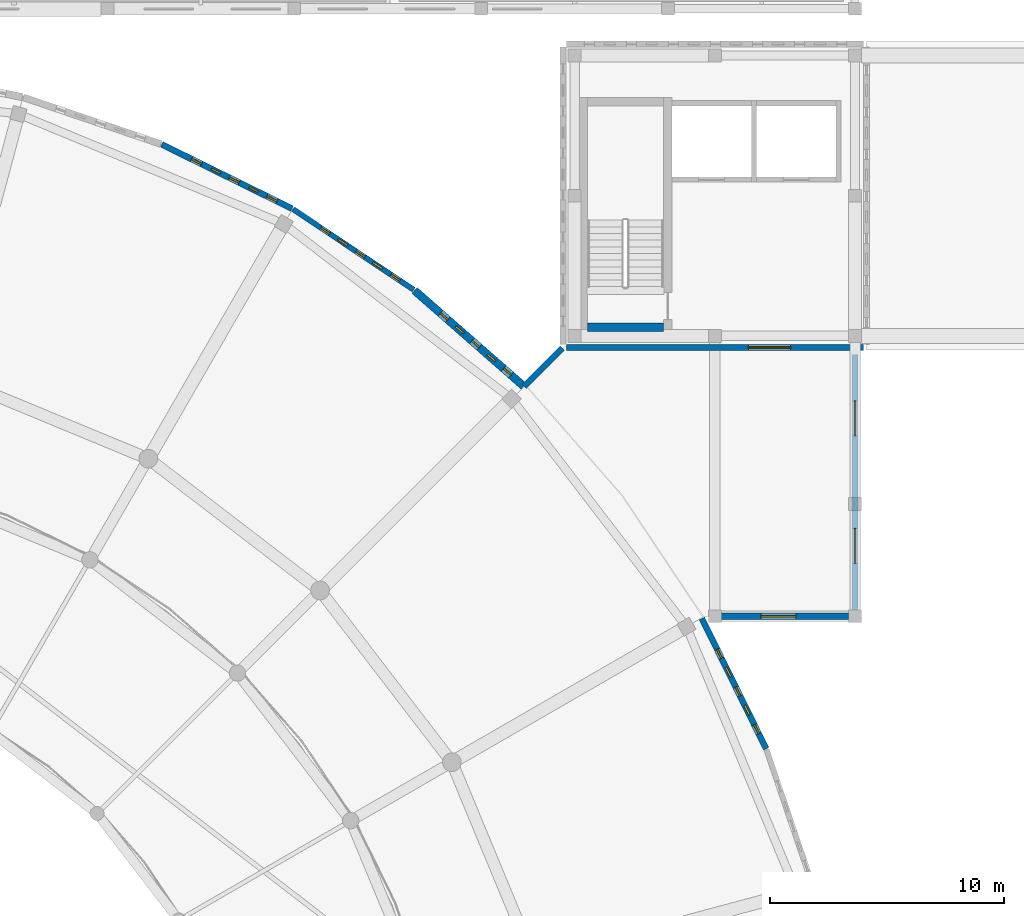
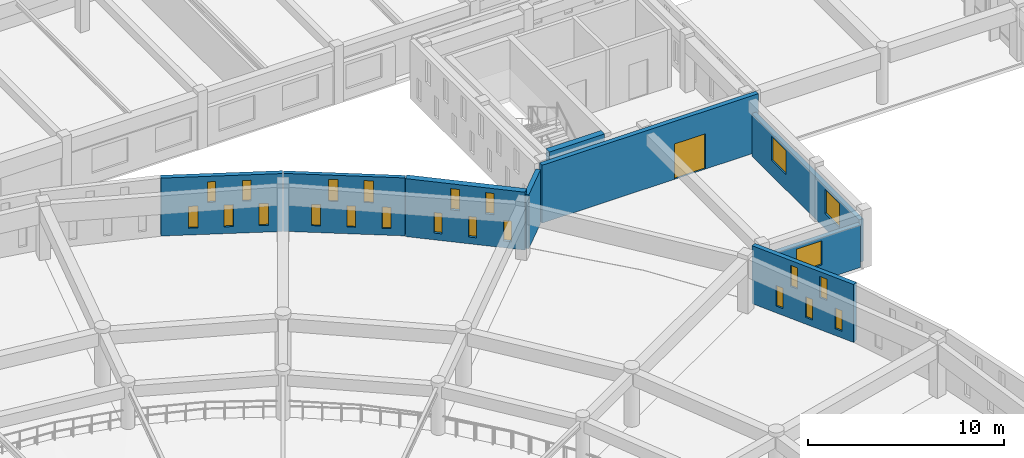
# One storey, part 119 of 155: 23 windows, 9 walls, 1 door, 24 openings.
"""IFC4 building model written with IfcOpenShell, lengths in metres."""

import ifcopenshell
import ifcopenshell.guid

model = None  # the IFC model being written
_history = None  # IfcOwnerHistory: only IFC2X3 demands one
_inside = {}  # id of a spatial element -> (the spatial element, [elements in it])
_under = {}  # id of a project, library or spatial element -> (it, [spatial elements below it])
_declared = {}  # id of a project -> (the project, [libraries it declares])
_typed = {}  # id of a type object -> (the type object, [elements of that type])
_made_of = {}  # id of a material, layer set ... -> (it, [elements and type objects made of it])


def new_model(schema):
    """Start an empty IFC model of exactly this schema.

    Asked for "IFC4X3", IfcOpenShell would pick the latest addendum, in which some entities
    have other attributes; the version numbers below select the first issue.
    IFC2X3 requires an IfcOwnerHistory on every rooted entity: one is made here for all.
    """
    global model, _history
    if schema == "IFC4X3":
        model = ifcopenshell.file(schema_version=(4, 3, 0, 0))
    else:
        model = ifcopenshell.file(schema=schema)
    _inside.clear()
    _under.clear()
    _declared.clear()
    _typed.clear()
    _made_of.clear()
    _history = None
    if model.schema == "IFC2X3":
        org = make("IfcOrganization", Name="unknown")
        user = make(
            "IfcPersonAndOrganization",
            ThePerson=make("IfcPerson", FamilyName="unknown"),
            TheOrganization=org,
        )
        app = make(
            "IfcApplication",
            ApplicationDeveloper=org,
            Version="unknown",
            ApplicationFullName="unknown",
            ApplicationIdentifier="unknown",
        )
        _history = make(
            "IfcOwnerHistory",
            OwningUser=user,
            OwningApplication=app,
            ChangeAction="ADDED",
            CreationDate=0,
        )
    return model


def make(cls, **values):
    """One entity of the class cls with the attributes given. An attribute that is None is left unset."""
    return model.create_entity(
        cls, **{name: value for name, value in values.items() if value is not None}
    )


def rooted(cls, **values):
    """An entity with a GlobalId (a new one), such as an element, a storey or a relation."""
    return make(cls, GlobalId=ifcopenshell.guid.new(), OwnerHistory=_history, **values)


def si_unit(unit_type, name, prefix=None):
    """IfcSIUnit, for example si_unit("LENGTHUNIT", "METRE", prefix="MILLI")."""
    return make("IfcSIUnit", UnitType=unit_type, Prefix=prefix, Name=name)


def assignment(units):
    """IfcUnitAssignment: the units of a project."""
    return None if units is None else make("IfcUnitAssignment", Units=units)


def point(xyz):
    """IfcCartesianPoint."""
    return None if xyz is None else make("IfcCartesianPoint", Coordinates=xyz)


def direction(xyz):
    """IfcDirection."""
    return None if xyz is None else make("IfcDirection", DirectionRatios=xyz)


def frame(location, z_axis=None, x_axis=None):
    """IfcAxis2Placement3D, a coordinate frame: its origin and axes. An axis left out is left unset."""
    return make(
        "IfcAxis2Placement3D",
        Location=point(location),
        Axis=direction(z_axis),
        RefDirection=direction(x_axis),
    )


def frame_2d(location, x_axis=None):
    """IfcAxis2Placement2D, a coordinate frame in the plane: its origin and x axis."""
    return make(
        "IfcAxis2Placement2D", Location=point(location), RefDirection=direction(x_axis)
    )


def origin():
    """The frame at (0, 0, 0) with its axes left unset."""
    return frame((0.0, 0.0, 0.0))


def place(relative_to, where):
    """IfcLocalPlacement: puts the frame where relative to a parent placement (None: the world)."""
    return make(
        "IfcLocalPlacement", PlacementRelTo=relative_to, RelativePlacement=where
    )


def context(
    kind, dimensions, precision=None, world=None, true_north=None, identifier=None
):
    """IfcGeometricRepresentationContext, for example the 3D "Model" context."""
    return make(
        "IfcGeometricRepresentationContext",
        ContextIdentifier=identifier,
        ContextType=kind,
        CoordinateSpaceDimension=dimensions,
        Precision=precision,
        WorldCoordinateSystem=world,
        TrueNorth=true_north,
    )


def subcontext(parent, identifier, kind, view, scale=None):
    """IfcGeometricRepresentationSubContext, for example "Body" below "Model"."""
    return make(
        "IfcGeometricRepresentationSubContext",
        ContextIdentifier=identifier,
        ContextType=kind,
        ParentContext=parent,
        TargetScale=scale,
        TargetView=view,
    )


def project(units=None, contexts=None):
    """IfcProject with its units and contexts."""
    return rooted(
        "IfcProject",
        Name="project",
        RepresentationContexts=contexts,
        UnitsInContext=assignment(units),
    )


def spatial(cls, under=None, at=None, **own):
    """A site, building, storey or space (cls), placed at a placement, below another one or the project."""
    s = rooted(cls, ObjectPlacement=at, **own)
    if under is not None:
        _under.setdefault(under.id(), (under, []))[1].append(s)
    return s


def profile(cls, at=None, kind="AREA", **sizes):
    """A parametric profile (cls). Its sizes go by their IFC names, for example OverallWidth=200.0."""
    return make(cls, ProfileType=kind, Position=at, **sizes)


def rectangle(**sizes):
    """IfcRectangleProfileDef."""
    return profile("IfcRectangleProfileDef", **sizes)


def extrude(swept, where, along, depth):
    """IfcExtrudedAreaSolid: the profile swept, set in the frame where, extruded along a direction by depth."""
    return make(
        "IfcExtrudedAreaSolid",
        SweptArea=swept,
        Position=where,
        ExtrudedDirection=direction(along),
        Depth=depth,
    )


def shape(context_of_items, identifier, shape_type, items):
    """IfcShapeRepresentation: the items that make up one representation, for example the "Body"."""
    return make(
        "IfcShapeRepresentation",
        ContextOfItems=context_of_items,
        RepresentationIdentifier=identifier,
        RepresentationType=shape_type,
        Items=items,
    )


def material(Name=None, Category=None):
    """IfcMaterial."""
    return make("IfcMaterial", Name=Name, Category=Category)


def layer(
    of_material, thickness, ventilated=None, Name=None, Category=None, Priority=None
):
    """IfcMaterialLayer: one layer of a wall or slab, of a material (None: an air gap)."""
    return make(
        "IfcMaterialLayer",
        Material=of_material,
        LayerThickness=thickness,
        IsVentilated=ventilated,
        Name=Name,
        Category=Category,
        Priority=Priority,
    )


def layer_set(layers, Name=None):
    """IfcMaterialLayerSet."""
    return make("IfcMaterialLayerSet", MaterialLayers=layers, LayerSetName=Name)


def made_of(thing, what):
    """Note that an element or type object is made of a material, layer set ...; save() writes the relation."""
    if what is not None:
        _made_of.setdefault(what.id(), (what, []))[1].append(thing)
    return thing


def type_object(cls, material=None, **own):
    """A type object (cls), such as IfcWallType, which elements share."""
    return made_of(rooted(cls, **own), material)


def element(
    cls,
    number,
    at=None,
    inside=None,
    cuts=None,
    type_object=None,
    material=None,
    context=None,
    identifier="Body",
    shape_type=None,
    held_by="IfcProductDefinitionShape",
    body=None,
    shapes=None,
    **own,
):
    """One element of the class cls, such as IfcWall. Its Tag is "e" and its number.

    at: its placement. inside: the storey or other place that contains it. cuts: it is an
    opening in that element (IfcRelVoidsElement). A single representation is given by context,
    identifier, shape_type and body (its items); several are given by shapes. held_by: the class
    of the entity that holds the representations. save() writes the other relations.
    """
    e = rooted(cls, Tag="e%d" % number, ObjectPlacement=at, **own)
    if body is not None:
        shapes = [shape(context, identifier, shape_type, body)]
    if shapes is not None:
        e.Representation = make(held_by, Representations=shapes)
    if inside is not None:
        _inside.setdefault(inside.id(), (inside, []))[1].append(e)
    if cuts is not None:
        rooted(
            "IfcRelVoidsElement", RelatingBuildingElement=cuts, RelatedOpeningElement=e
        )
    if type_object is not None:
        _typed.setdefault(type_object.id(), (type_object, []))[1].append(e)
    return made_of(e, material)


def fill(opening, filler):
    """IfcRelFillsElement: the door or window that sits in an opening."""
    return rooted(
        "IfcRelFillsElement",
        RelatingOpeningElement=opening,
        RelatedBuildingElement=filler,
    )


def aggregate(whole, parts):
    """IfcRelAggregates: a whole, such as a stair, and the parts it consists of."""
    return rooted("IfcRelAggregates", RelatingObject=whole, RelatedObjects=parts)


def save(model, path):
    """Write the relations noted so far, then the file.

    IfcRelAggregates (storeys below a building ...), IfcRelContainedInSpatialStructure (elements
    in a storey), IfcRelDefinesByType, IfcRelAssociatesMaterial and IfcRelDeclares: one each for
    every whole, place, type object, material and project.
    """
    for whole, parts in _under.values():
        aggregate(whole, parts)
    for where, things in _inside.values():
        rooted(
            "IfcRelContainedInSpatialStructure",
            RelatedElements=things,
            RelatingStructure=where,
        )
    for kind, things in _typed.values():
        rooted("IfcRelDefinesByType", RelatedObjects=things, RelatingType=kind)
    for what, things in _made_of.values():
        rooted("IfcRelAssociatesMaterial", RelatedObjects=things, RelatingMaterial=what)
    for by, libraries in _declared.values():
        rooted("IfcRelDeclares", RelatingContext=by, RelatedDefinitions=libraries)
    model.write(path)


model = new_model("IFC4")

# Units and contexts
model_context = context("Model", 3, precision=1e-05, world=origin(), true_north=direction((0.0, 1.0)))
body_context = subcontext(model_context, "Body", "Model", "MODEL_VIEW")
ifc_project = project(units=[si_unit("LENGTHUNIT", "METRE"), si_unit("AREAUNIT", "SQUARE_METRE"), si_unit("VOLUMEUNIT", "CUBIC_METRE"), si_unit("PLANEANGLEUNIT", "RADIAN"), si_unit("MASSUNIT", "GRAM", prefix="KILO")], contexts=[model_context])

# Site, building, storey
site_placement = place(None, origin())
site = spatial("IfcSite", under=ifc_project, at=site_placement, CompositionType="ELEMENT")
building_placement = place(site_placement, origin())
building = spatial("IfcBuilding", under=site, at=building_placement, Name="Larkveld Mobility Hub", CompositionType="ELEMENT")
storey_placement = place(building_placement, frame((0.0, 0.0, 8.39990234375)))
storey = spatial("IfcBuildingStorey", under=building, at=storey_placement, Name="L02", CompositionType="ELEMENT", Elevation=8.39990234375)

# Wall, openings, windows
ifc_material_1 = material(Name="Fired clay brick 25 MPa", Category="masonry")
ifc_layer_1 = layer(ifc_material_1, 0.22998046875, Name="Fired clay brick 25 MPa", Category="masonry")
ifc_layer_set_1 = layer_set([ifc_layer_1], Name="Fired clay brick 25 MPa")
wall_type_1 = type_object("IfcWallType", Name="WL-BRK-230", PredefinedType="USERDEFINED", material=ifc_layer_set_1)
wall_1_placement = place(storey_placement, frame((77.10888671875, 85.97509765625, 0.0), z_axis=(0.0, 0.0, 1.0), x_axis=(-0.831426871608, 0.555634193664, 0.0)))
wall_1 = element("IfcWall", 1, at=wall_1_placement, inside=storey, type_object=wall_type_1, Name="Drum Woven Open-Bond Brick Chord L02-0098", ObjectType="PERFORATED BRICK SCREEN", PredefinedType="USERDEFINED", context=body_context, shape_type="SweptSolid", body=[
    extrude(rectangle(XDim=6.210693359375, YDim=0.22998046875, at=frame_2d((3.10546875, 0.0))), origin(), (0.0, 0.0, 1.0), 3.60009765625),
])
opening_1_placement = place(wall_1_placement, frame((0.719970703125, 0.0, 0.419921875)))
opening_1 = element("IfcOpeningElement", 2, at=opening_1_placement, cuts=wall_1, Name="Opening W02", PredefinedType="OPENING", context=body_context, shape_type="SweptSolid", body=[
    extrude(rectangle(XDim=0.449951171875, YDim=1.320068359375, at=frame_2d((0.22509765625, 0.66015625))), frame((0.0, 0.125, 0.0), z_axis=(0.0, -1.0, 0.0), x_axis=(1.0, 0.0, 0.0)), (0.0, 0.0, 1.0), 0.25),
])
opening_2_placement = place(wall_1_placement, frame((2.52001953125, 0.0, 0.419921875)))
opening_2 = element("IfcOpeningElement", 3, at=opening_2_placement, cuts=wall_1, Name="Opening W02", PredefinedType="OPENING", context=body_context, shape_type="SweptSolid", body=[
    extrude(rectangle(XDim=0.449951171875, YDim=1.320068359375, at=frame_2d((0.22509765625, 0.66015625))), frame((0.0, 0.125, 0.0), z_axis=(0.0, -1.0, 0.0), x_axis=(1.0, 0.0, 0.0)), (0.0, 0.0, 1.0), 0.25),
])
opening_3_placement = place(wall_1_placement, frame((4.320068359375, 0.0, 0.419921875)))
opening_3 = element("IfcOpeningElement", 4, at=opening_3_placement, cuts=wall_1, Name="Opening W02", PredefinedType="OPENING", context=body_context, shape_type="SweptSolid", body=[
    extrude(rectangle(XDim=0.449951171875, YDim=1.320068359375, at=frame_2d((0.22509765625, 0.66015625))), frame((0.0, 0.125, 0.0), z_axis=(0.0, -1.0, 0.0), x_axis=(1.0, 0.0, 0.0)), (0.0, 0.0, 1.0), 0.25),
])
opening_4_placement = place(wall_1_placement, frame((1.6201171875, 0.0, 1.97998046875)))
opening_4 = element("IfcOpeningElement", 5, at=opening_4_placement, cuts=wall_1, Name="Opening W03", PredefinedType="OPENING", context=body_context, shape_type="SweptSolid", body=[
    extrude(rectangle(XDim=0.47998046875, YDim=1.360107421875, at=frame_2d((0.239990234375, 0.68017578125))), frame((0.0, 0.125, 0.0), z_axis=(0.0, -1.0, 0.0), x_axis=(1.0, 0.0, 0.0)), (0.0, 0.0, 1.0), 0.25),
])
opening_5_placement = place(wall_1_placement, frame((3.419921875, 0.0, 1.97998046875)))
opening_5 = element("IfcOpeningElement", 6, at=opening_5_placement, cuts=wall_1, Name="Opening W03", PredefinedType="OPENING", context=body_context, shape_type="SweptSolid", body=[
    extrude(rectangle(XDim=0.47998046875, YDim=1.360107421875, at=frame_2d((0.239990234375, 0.68017578125))), frame((0.0, 0.125, 0.0), z_axis=(0.0, -1.0, 0.0), x_axis=(1.0, 0.0, 0.0)), (0.0, 0.0, 1.0), 0.25),
])
ifc_material_2 = material(Name="Extruded aluminium ventilation grille", Category="aluminium")
window_type_1 = type_object("IfcWindowType", Name="WN-VENT-02", PartitioningType="SINGLE_PANEL", PredefinedType="WINDOW", material=ifc_material_2)
window_1_placement = place(opening_1_placement, origin())
window_1 = element("IfcWindow", 7, at=window_1_placement, inside=storey, type_object=window_type_1, Name="Window W02 (0476)", OverallHeight=1.320068359375, OverallWidth=0.449951171875, PartitioningType="SINGLE_PANEL", PredefinedType="WINDOW", context=body_context, shape_type="SweptSolid", body=[
    extrude(rectangle(XDim=0.449951171875, YDim=1.320068359375, at=frame_2d((0.22509765625, 0.66015625))), frame((0.0, 0.030029296875, 0.0), z_axis=(0.0, -1.0, 0.0), x_axis=(1.0, 0.0, 0.0)), (0.0, 0.0, 1.0), 0.06005859375),
])
fill(opening_1, window_1)
window_2_placement = place(opening_2_placement, origin())
window_2 = element("IfcWindow", 8, at=window_2_placement, inside=storey, type_object=window_type_1, Name="Window W02 (0477)", OverallHeight=1.320068359375, OverallWidth=0.449951171875, PartitioningType="SINGLE_PANEL", PredefinedType="WINDOW", context=body_context, shape_type="SweptSolid", body=[
    extrude(rectangle(XDim=0.449951171875, YDim=1.320068359375, at=frame_2d((0.22509765625, 0.66015625))), frame((0.0, 0.030029296875, 0.0), z_axis=(0.0, -1.0, 0.0), x_axis=(1.0, 0.0, 0.0)), (0.0, 0.0, 1.0), 0.06005859375),
])
fill(opening_2, window_2)
window_3_placement = place(opening_3_placement, origin())
window_3 = element("IfcWindow", 9, at=window_3_placement, inside=storey, type_object=window_type_1, Name="Window W02 (0478)", OverallHeight=1.320068359375, OverallWidth=0.449951171875, PartitioningType="SINGLE_PANEL", PredefinedType="WINDOW", context=body_context, shape_type="SweptSolid", body=[
    extrude(rectangle(XDim=0.449951171875, YDim=1.320068359375, at=frame_2d((0.22509765625, 0.66015625))), frame((0.0, 0.030029296875, 0.0), z_axis=(0.0, -1.0, 0.0), x_axis=(1.0, 0.0, 0.0)), (0.0, 0.0, 1.0), 0.06005859375),
])
fill(opening_3, window_3)
window_type_2 = type_object("IfcWindowType", Name="WN-VENT-03", PartitioningType="SINGLE_PANEL", PredefinedType="WINDOW", material=ifc_material_2)
window_4_placement = place(opening_4_placement, origin())
window_4 = element("IfcWindow", 10, at=window_4_placement, inside=storey, type_object=window_type_2, Name="Window W03 (0479)", OverallHeight=1.360107421875, OverallWidth=0.47998046875, PartitioningType="SINGLE_PANEL", PredefinedType="WINDOW", context=body_context, shape_type="SweptSolid", body=[
    extrude(rectangle(XDim=0.47998046875, YDim=1.360107421875, at=frame_2d((0.239990234375, 0.68017578125))), frame((0.0, 0.030029296875, 0.0), z_axis=(0.0, -1.0, 0.0), x_axis=(1.0, 0.0, 0.0)), (0.0, 0.0, 1.0), 0.06005859375),
])
fill(opening_4, window_4)
window_5_placement = place(opening_5_placement, origin())
window_5 = element("IfcWindow", 11, at=window_5_placement, inside=storey, type_object=window_type_2, Name="Window W03 (0480)", OverallHeight=1.360107421875, OverallWidth=0.47998046875, PartitioningType="SINGLE_PANEL", PredefinedType="WINDOW", context=body_context, shape_type="SweptSolid", body=[
    extrude(rectangle(XDim=0.47998046875, YDim=1.360107421875, at=frame_2d((0.239990234375, 0.68017578125))), frame((0.0, 0.030029296875, 0.0), z_axis=(0.0, -1.0, 0.0), x_axis=(1.0, 0.0, 0.0)), (0.0, 0.0, 1.0), 0.06005859375),
])
fill(opening_5, window_5)

ifc_layer_2 = layer(ifc_material_1, 0.260009765625, Name="Fired clay brick 25 MPa", Category="masonry")
ifc_layer_set_2 = layer_set([ifc_layer_2], Name="Fired clay brick 25 MPa")
wall_type_2 = type_object("IfcWallType", Name="WL-BRK-260", PredefinedType="USERDEFINED", material=ifc_layer_set_2)
wall_2_placement = place(storey_placement, frame((92.197021484375, 66.3330078125, 0.0), z_axis=(0.0, 0.0, 1.0), x_axis=(-0.442316740488, 0.896858908126, 0.0)))
wall_2 = element("IfcWall", 12, at=wall_2_placement, inside=storey, type_object=wall_type_2, Name="Drum Woven Open-Bond Brick Chord L02-0096", ObjectType="PERFORATED BRICK SCREEN", PredefinedType="USERDEFINED", context=body_context, shape_type="SweptSolid", body=[
    extrude(rectangle(XDim=6.210693359375, YDim=0.260009765625, at=frame_2d((3.10546875, 0.0))), origin(), (0.0, 0.0, 1.0), 3.60009765625),
])
opening_6_placement = place(wall_2_placement, frame((0.719970703125, 0.0, 0.419921875)))
opening_6 = element("IfcOpeningElement", 13, at=opening_6_placement, cuts=wall_2, Name="Opening W01", PredefinedType="OPENING", context=body_context, shape_type="SweptSolid", body=[
    extrude(rectangle(XDim=0.419921875, YDim=1.280029296875, at=frame_2d((0.2099609375, 0.64013671875))), frame((0.0, 0.14013671875, 0.0), z_axis=(0.0, -1.0, 0.0), x_axis=(1.0, 0.0, 0.0)), (0.0, 0.0, 1.0), 0.280029296875),
])
opening_7_placement = place(wall_2_placement, frame((2.52001953125, 0.0, 0.419921875)))
opening_7 = element("IfcOpeningElement", 14, at=opening_7_placement, cuts=wall_2, Name="Opening W01", PredefinedType="OPENING", context=body_context, shape_type="SweptSolid", body=[
    extrude(rectangle(XDim=0.419921875, YDim=1.280029296875, at=frame_2d((0.2099609375, 0.64013671875))), frame((0.0, 0.14013671875, 0.0), z_axis=(0.0, -1.0, 0.0), x_axis=(1.0, 0.0, 0.0)), (0.0, 0.0, 1.0), 0.280029296875),
])
opening_8_placement = place(wall_2_placement, frame((4.320068359375, 0.0, 0.419921875)))
opening_8 = element("IfcOpeningElement", 15, at=opening_8_placement, cuts=wall_2, Name="Opening W01", PredefinedType="OPENING", context=body_context, shape_type="SweptSolid", body=[
    extrude(rectangle(XDim=0.419921875, YDim=1.280029296875, at=frame_2d((0.2099609375, 0.64013671875))), frame((0.0, 0.14013671875, 0.0), z_axis=(0.0, -1.0, 0.0), x_axis=(1.0, 0.0, 0.0)), (0.0, 0.0, 1.0), 0.280029296875),
])
opening_9_placement = place(wall_2_placement, frame((1.6201171875, 0.0, 1.97998046875)))
opening_9 = element("IfcOpeningElement", 16, at=opening_9_placement, cuts=wall_2, Name="Opening W02", PredefinedType="OPENING", context=body_context, shape_type="SweptSolid", body=[
    extrude(rectangle(XDim=0.449951171875, YDim=1.320068359375, at=frame_2d((0.22509765625, 0.66015625))), frame((0.0, 0.14013671875, 0.0), z_axis=(0.0, -1.0, 0.0), x_axis=(1.0, 0.0, 0.0)), (0.0, 0.0, 1.0), 0.280029296875),
])
opening_10_placement = place(wall_2_placement, frame((3.419921875, 0.0, 1.97998046875)))
opening_10 = element("IfcOpeningElement", 17, at=opening_10_placement, cuts=wall_2, Name="Opening W02", PredefinedType="OPENING", context=body_context, shape_type="SweptSolid", body=[
    extrude(rectangle(XDim=0.449951171875, YDim=1.320068359375, at=frame_2d((0.22509765625, 0.66015625))), frame((0.0, 0.14013671875, 0.0), z_axis=(0.0, -1.0, 0.0), x_axis=(1.0, 0.0, 0.0)), (0.0, 0.0, 1.0), 0.280029296875),
])
window_type_3 = type_object("IfcWindowType", Name="WN-VENT-01", PartitioningType="SINGLE_PANEL", PredefinedType="WINDOW", material=ifc_material_2)
window_6_placement = place(opening_6_placement, origin())
window_6 = element("IfcWindow", 18, at=window_6_placement, inside=storey, type_object=window_type_3, Name="Window W01 (0466)", OverallHeight=1.280029296875, OverallWidth=0.419921875, PartitioningType="SINGLE_PANEL", PredefinedType="WINDOW", context=body_context, shape_type="SweptSolid", body=[
    extrude(rectangle(XDim=0.419921875, YDim=1.280029296875, at=frame_2d((0.2099609375, 0.64013671875))), frame((0.0, 0.030029296875, 0.0), z_axis=(0.0, -1.0, 0.0), x_axis=(1.0, 0.0, 0.0)), (0.0, 0.0, 1.0), 0.06005859375),
])
fill(opening_6, window_6)
window_7_placement = place(opening_7_placement, origin())
window_7 = element("IfcWindow", 19, at=window_7_placement, inside=storey, type_object=window_type_3, Name="Window W01 (0467)", OverallHeight=1.280029296875, OverallWidth=0.419921875, PartitioningType="SINGLE_PANEL", PredefinedType="WINDOW", context=body_context, shape_type="SweptSolid", body=[
    extrude(rectangle(XDim=0.419921875, YDim=1.280029296875, at=frame_2d((0.2099609375, 0.64013671875))), frame((0.0, 0.030029296875, 0.0), z_axis=(0.0, -1.0, 0.0), x_axis=(1.0, 0.0, 0.0)), (0.0, 0.0, 1.0), 0.06005859375),
])
fill(opening_7, window_7)
window_8_placement = place(opening_8_placement, origin())
window_8 = element("IfcWindow", 20, at=window_8_placement, inside=storey, type_object=window_type_3, Name="Window W01 (0468)", OverallHeight=1.280029296875, OverallWidth=0.419921875, PartitioningType="SINGLE_PANEL", PredefinedType="WINDOW", context=body_context, shape_type="SweptSolid", body=[
    extrude(rectangle(XDim=0.419921875, YDim=1.280029296875, at=frame_2d((0.2099609375, 0.64013671875))), frame((0.0, 0.030029296875, 0.0), z_axis=(0.0, -1.0, 0.0), x_axis=(1.0, 0.0, 0.0)), (0.0, 0.0, 1.0), 0.06005859375),
])
fill(opening_8, window_8)
window_9_placement = place(opening_9_placement, origin())
window_9 = element("IfcWindow", 21, at=window_9_placement, inside=storey, type_object=window_type_1, Name="Window W02 (0469)", OverallHeight=1.320068359375, OverallWidth=0.449951171875, PartitioningType="SINGLE_PANEL", PredefinedType="WINDOW", context=body_context, shape_type="SweptSolid", body=[
    extrude(rectangle(XDim=0.449951171875, YDim=1.320068359375, at=frame_2d((0.22509765625, 0.66015625))), frame((0.0, 0.030029296875, 0.0), z_axis=(0.0, -1.0, 0.0), x_axis=(1.0, 0.0, 0.0)), (0.0, 0.0, 1.0), 0.06005859375),
])
fill(opening_9, window_9)
window_10_placement = place(opening_10_placement, origin())
window_10 = element("IfcWindow", 22, at=window_10_placement, inside=storey, type_object=window_type_1, Name="Window W02 (0470)", OverallHeight=1.320068359375, OverallWidth=0.449951171875, PartitioningType="SINGLE_PANEL", PredefinedType="WINDOW", context=body_context, shape_type="SweptSolid", body=[
    extrude(rectangle(XDim=0.449951171875, YDim=1.320068359375, at=frame_2d((0.22509765625, 0.66015625))), frame((0.0, 0.030029296875, 0.0), z_axis=(0.0, -1.0, 0.0), x_axis=(1.0, 0.0, 0.0)), (0.0, 0.0, 1.0), 0.06005859375),
])
fill(opening_10, window_10)

wall_3_placement = place(storey_placement, frame((71.903076171875, 89.449951171875, 0.0), z_axis=(0.0, 0.0, 1.0), x_axis=(-0.896858908126, 0.442316740488, 0.0)))
wall_3 = element("IfcWall", 23, at=wall_3_placement, inside=storey, type_object=wall_type_2, Name="Drum Woven Open-Bond Brick Chord L02-0099", ObjectType="PERFORATED BRICK SCREEN", PredefinedType="USERDEFINED", context=body_context, shape_type="SweptSolid", body=[
    extrude(rectangle(XDim=6.210693359375, YDim=0.260009765625, at=frame_2d((3.10546875, 0.0))), origin(), (0.0, 0.0, 1.0), 3.60009765625),
])
opening_11_placement = place(wall_3_placement, frame((0.719970703125, 0.0, 0.419921875)))
opening_11 = element("IfcOpeningElement", 24, at=opening_11_placement, cuts=wall_3, Name="Opening W03", PredefinedType="OPENING", context=body_context, shape_type="SweptSolid", body=[
    extrude(rectangle(XDim=0.47998046875, YDim=1.360107421875, at=frame_2d((0.239990234375, 0.68017578125))), frame((0.0, 0.14013671875, 0.0), z_axis=(0.0, -1.0, 0.0), x_axis=(1.0, 0.0, 0.0)), (0.0, 0.0, 1.0), 0.280029296875),
])
opening_12_placement = place(wall_3_placement, frame((2.52001953125, 0.0, 0.419921875)))
opening_12 = element("IfcOpeningElement", 25, at=opening_12_placement, cuts=wall_3, Name="Opening W03", PredefinedType="OPENING", context=body_context, shape_type="SweptSolid", body=[
    extrude(rectangle(XDim=0.47998046875, YDim=1.360107421875, at=frame_2d((0.239990234375, 0.68017578125))), frame((0.0, 0.14013671875, 0.0), z_axis=(0.0, -1.0, 0.0), x_axis=(1.0, 0.0, 0.0)), (0.0, 0.0, 1.0), 0.280029296875),
])
opening_13_placement = place(wall_3_placement, frame((4.320068359375, 0.0, 0.419921875)))
opening_13 = element("IfcOpeningElement", 26, at=opening_13_placement, cuts=wall_3, Name="Opening W03", PredefinedType="OPENING", context=body_context, shape_type="SweptSolid", body=[
    extrude(rectangle(XDim=0.47998046875, YDim=1.360107421875, at=frame_2d((0.239990234375, 0.68017578125))), frame((0.0, 0.14013671875, 0.0), z_axis=(0.0, -1.0, 0.0), x_axis=(1.0, 0.0, 0.0)), (0.0, 0.0, 1.0), 0.280029296875),
])
opening_14_placement = place(wall_3_placement, frame((1.6201171875, 0.0, 1.97998046875)))
opening_14 = element("IfcOpeningElement", 27, at=opening_14_placement, cuts=wall_3, Name="Opening W01", PredefinedType="OPENING", context=body_context, shape_type="SweptSolid", body=[
    extrude(rectangle(XDim=0.419921875, YDim=1.280029296875, at=frame_2d((0.2099609375, 0.64013671875))), frame((0.0, 0.14013671875, 0.0), z_axis=(0.0, -1.0, 0.0), x_axis=(1.0, 0.0, 0.0)), (0.0, 0.0, 1.0), 0.280029296875),
])
opening_15_placement = place(wall_3_placement, frame((3.419921875, 0.0, 1.97998046875)))
opening_15 = element("IfcOpeningElement", 28, at=opening_15_placement, cuts=wall_3, Name="Opening W01", PredefinedType="OPENING", context=body_context, shape_type="SweptSolid", body=[
    extrude(rectangle(XDim=0.419921875, YDim=1.280029296875, at=frame_2d((0.2099609375, 0.64013671875))), frame((0.0, 0.14013671875, 0.0), z_axis=(0.0, -1.0, 0.0), x_axis=(1.0, 0.0, 0.0)), (0.0, 0.0, 1.0), 0.280029296875),
])
window_11_placement = place(opening_14_placement, origin())
window_11 = element("IfcWindow", 29, at=window_11_placement, inside=storey, type_object=window_type_3, Name="Window W01 (0484)", OverallHeight=1.280029296875, OverallWidth=0.419921875, PartitioningType="SINGLE_PANEL", PredefinedType="WINDOW", context=body_context, shape_type="SweptSolid", body=[
    extrude(rectangle(XDim=0.419921875, YDim=1.280029296875, at=frame_2d((0.2099609375, 0.64013671875))), frame((0.0, 0.030029296875, 0.0), z_axis=(0.0, -1.0, 0.0), x_axis=(1.0, 0.0, 0.0)), (0.0, 0.0, 1.0), 0.06005859375),
])
fill(opening_14, window_11)
window_12_placement = place(opening_15_placement, origin())
window_12 = element("IfcWindow", 30, at=window_12_placement, inside=storey, type_object=window_type_3, Name="Window W01 (0485)", OverallHeight=1.280029296875, OverallWidth=0.419921875, PartitioningType="SINGLE_PANEL", PredefinedType="WINDOW", context=body_context, shape_type="SweptSolid", body=[
    extrude(rectangle(XDim=0.419921875, YDim=1.280029296875, at=frame_2d((0.2099609375, 0.64013671875))), frame((0.0, 0.030029296875, 0.0), z_axis=(0.0, -1.0, 0.0), x_axis=(1.0, 0.0, 0.0)), (0.0, 0.0, 1.0), 0.06005859375),
])
fill(opening_15, window_12)
window_13_placement = place(opening_11_placement, origin())
window_13 = element("IfcWindow", 31, at=window_13_placement, inside=storey, type_object=window_type_2, Name="Window W03 (0481)", OverallHeight=1.360107421875, OverallWidth=0.47998046875, PartitioningType="SINGLE_PANEL", PredefinedType="WINDOW", context=body_context, shape_type="SweptSolid", body=[
    extrude(rectangle(XDim=0.47998046875, YDim=1.360107421875, at=frame_2d((0.239990234375, 0.68017578125))), frame((0.0, 0.030029296875, 0.0), z_axis=(0.0, -1.0, 0.0), x_axis=(1.0, 0.0, 0.0)), (0.0, 0.0, 1.0), 0.06005859375),
])
fill(opening_11, window_13)
window_14_placement = place(opening_12_placement, origin())
window_14 = element("IfcWindow", 32, at=window_14_placement, inside=storey, type_object=window_type_2, Name="Window W03 (0482)", OverallHeight=1.360107421875, OverallWidth=0.47998046875, PartitioningType="SINGLE_PANEL", PredefinedType="WINDOW", context=body_context, shape_type="SweptSolid", body=[
    extrude(rectangle(XDim=0.47998046875, YDim=1.360107421875, at=frame_2d((0.239990234375, 0.68017578125))), frame((0.0, 0.030029296875, 0.0), z_axis=(0.0, -1.0, 0.0), x_axis=(1.0, 0.0, 0.0)), (0.0, 0.0, 1.0), 0.06005859375),
])
fill(opening_12, window_14)
window_15_placement = place(opening_13_placement, origin())
window_15 = element("IfcWindow", 33, at=window_15_placement, inside=storey, type_object=window_type_2, Name="Window W03 (0483)", OverallHeight=1.360107421875, OverallWidth=0.47998046875, PartitioningType="SINGLE_PANEL", PredefinedType="WINDOW", context=body_context, shape_type="SweptSolid", body=[
    extrude(rectangle(XDim=0.47998046875, YDim=1.360107421875, at=frame_2d((0.239990234375, 0.68017578125))), frame((0.0, 0.030029296875, 0.0), z_axis=(0.0, -1.0, 0.0), x_axis=(1.0, 0.0, 0.0)), (0.0, 0.0, 1.0), 0.06005859375),
])
fill(opening_13, window_15)

# Wall, opening, window
wall_4_placement = place(storey_placement, frame((89.72412109375, 72.0, 0.0), z_axis=(0.0, 0.0, 1.0), x_axis=(1.0, 0.0, 0.0)))
wall_4 = element("IfcWall", 34, at=wall_4_placement, inside=storey, type_object=wall_type_2, Name="Drum Link South Wall L02-0163", ObjectType="PERFORATED BRICK SCREEN", PredefinedType="USERDEFINED", context=body_context, shape_type="SweptSolid", body=[
    extrude(rectangle(XDim=5.990966796875, YDim=0.260009765625, at=frame_2d((2.99560546875, 0.0))), origin(), (0.0, 0.0, 1.0), 2.64501953125),
])
opening_16_placement = place(wall_4_placement, frame((2.2451171875, 0.0, 0.945068359375)))
opening_16 = element("IfcOpeningElement", 35, at=opening_16_placement, cuts=wall_4, Name="Opening W06", PredefinedType="OPENING", context=body_context, shape_type="SweptSolid", body=[
    extrude(rectangle(XDim=1.5, YDim=1.5, at=frame_2d((0.75, 0.75))), frame((0.0, 0.14013671875, 0.0), z_axis=(0.0, -1.0, 0.0), x_axis=(1.0, 0.0, 0.0)), (0.0, 0.0, 1.0), 0.280029296875),
])
ifc_material_3 = material(Name="Low-E double glazing in aluminium frame", Category="aluminium")
window_type_4 = type_object("IfcWindowType", Name="WN-ALU-06", PartitioningType="SINGLE_PANEL", PredefinedType="WINDOW", material=ifc_material_3)
window_16_placement = place(opening_16_placement, origin())
window_16 = element("IfcWindow", 36, at=window_16_placement, inside=storey, type_object=window_type_4, Name="Window W06 (0823)", OverallHeight=1.5, OverallWidth=1.5, PartitioningType="SINGLE_PANEL", PredefinedType="WINDOW", context=body_context, shape_type="SweptSolid", body=[
    extrude(rectangle(XDim=1.5, YDim=1.5, at=frame_2d((0.75, 0.75))), frame((0.0, 0.030029296875, 0.0), z_axis=(0.0, -1.0, 0.0), x_axis=(1.0, 0.0, 0.0)), (0.0, 0.0, 1.0), 0.06005859375),
])
fill(opening_16, window_16)

# Wall, openings, windows
wall_5_placement = place(storey_placement, frame((96.0, 72.284912109375, 0.0), z_axis=(0.0, 0.0, 1.0), x_axis=(0.0, 1.0, 0.0)))
wall_5 = element("IfcWall", 37, at=wall_5_placement, inside=storey, type_object=wall_type_2, Name="Drum Link East Wall L02-0164", ObjectType="PERFORATED BRICK SCREEN", PredefinedType="USERDEFINED", context=body_context, shape_type="SweptSolid", body=[
    extrude(rectangle(XDim=10.91015625, YDim=0.260009765625, at=frame_2d((5.455078125, 0.0))), origin(), (0.0, 0.0, 1.0), 2.64501953125),
])
opening_17_placement = place(wall_5_placement, frame((1.97705078125, 0.0, 0.945068359375)))
opening_17 = element("IfcOpeningElement", 38, at=opening_17_placement, cuts=wall_5, Name="Opening W06", PredefinedType="OPENING", context=body_context, shape_type="SweptSolid", body=[
    extrude(rectangle(XDim=1.5, YDim=1.5, at=frame_2d((0.75, 0.75))), frame((0.0, 0.14013671875, 0.0), z_axis=(0.0, -1.0, 0.0), x_axis=(1.0, 0.0, 0.0)), (0.0, 0.0, 1.0), 0.280029296875),
])
opening_18_placement = place(wall_5_placement, frame((7.431884765625, 0.0, 0.945068359375)))
opening_18 = element("IfcOpeningElement", 39, at=opening_18_placement, cuts=wall_5, Name="Opening W06", PredefinedType="OPENING", context=body_context, shape_type="SweptSolid", body=[
    extrude(rectangle(XDim=1.5, YDim=1.5, at=frame_2d((0.75, 0.75))), frame((0.0, 0.14013671875, 0.0), z_axis=(0.0, -1.0, 0.0), x_axis=(1.0, 0.0, 0.0)), (0.0, 0.0, 1.0), 0.280029296875),
])
window_17_placement = place(opening_17_placement, origin())
window_17 = element("IfcWindow", 40, at=window_17_placement, inside=storey, type_object=window_type_4, Name="Window W06 (0824)", OverallHeight=1.5, OverallWidth=1.5, PartitioningType="SINGLE_PANEL", PredefinedType="WINDOW", context=body_context, shape_type="SweptSolid", body=[
    extrude(rectangle(XDim=1.5, YDim=1.5, at=frame_2d((0.75, 0.75))), frame((0.0, 0.030029296875, 0.0), z_axis=(0.0, -1.0, 0.0), x_axis=(1.0, 0.0, 0.0)), (0.0, 0.0, 1.0), 0.06005859375),
])
fill(opening_17, window_17)
window_18_placement = place(opening_18_placement, origin())
window_18 = element("IfcWindow", 41, at=window_18_placement, inside=storey, type_object=window_type_4, Name="Window W06 (0825)", OverallHeight=1.5, OverallWidth=1.5, PartitioningType="SINGLE_PANEL", PredefinedType="WINDOW", context=body_context, shape_type="SweptSolid", body=[
    extrude(rectangle(XDim=1.5, YDim=1.5, at=frame_2d((0.75, 0.75))), frame((0.0, 0.030029296875, 0.0), z_axis=(0.0, -1.0, 0.0), x_axis=(1.0, 0.0, 0.0)), (0.0, 0.0, 1.0), 0.06005859375),
])
fill(opening_18, window_18)

# Wall
wall_6_placement = place(storey_placement, frame((83.47998046875, 83.47998046875, 0.0), z_axis=(0.0, 0.0, 1.0), x_axis=(-0.707106781187, -0.707106781187, 0.0)))
element("IfcWall", 42, at=wall_6_placement, inside=storey, type_object=wall_type_2, Name="Drum Link West Seal Wall L02-0165", ObjectType="PERFORATED BRICK SCREEN", PredefinedType="USERDEFINED", context=body_context, shape_type="SweptSolid", body=[
    extrude(rectangle(XDim=2.326416015625, YDim=0.260009765625, at=frame_2d((1.1630859375, 0.0))), origin(), (0.0, 0.0, 1.0), 3.34521484375),
])

# Wall, opening, door
ifc_layer_3 = layer(ifc_material_1, 0.264892578125, Name="Fired clay brick 25 MPa", Category="masonry")
ifc_layer_set_3 = layer_set([ifc_layer_3], Name="Fired clay brick 25 MPa")
wall_type_3 = type_object("IfcWallType", Name="WL-BRK-265", PredefinedType="USERDEFINED", material=ifc_layer_set_3)
wall_7_placement = place(storey_placement, frame((83.639892578125, 83.5, 0.0), z_axis=(0.0, 0.0, 1.0), x_axis=(1.0, 0.0, 0.0)))
wall_7 = element("IfcWall", 43, at=wall_7_placement, inside=storey, type_object=wall_type_3, Name="Square Brick Pavilion S Wall L02-0148", ObjectType="PERFORATED BRICK SCREEN", PredefinedType="USERDEFINED", context=body_context, shape_type="SweptSolid", body=[
    extrude(rectangle(XDim=12.72021484375, YDim=0.264892578125, at=frame_2d((6.360107421875, 0.0))), origin(), (0.0, 0.0, 1.0), 3.60009765625),
])
opening_19_placement = place(wall_7_placement, frame((7.800048828125, 0.0, 0.0)))
opening_19 = element("IfcOpeningElement", 44, at=opening_19_placement, cuts=wall_7, Name="Opening DL01", PredefinedType="OPENING", context=body_context, shape_type="SweptSolid", body=[
    extrude(rectangle(XDim=1.800048828125, YDim=2.199951171875, at=frame_2d((0.89990234375, 1.10009765625))), frame((0.0, 0.142578125, 0.0), z_axis=(0.0, -1.0, 0.0), x_axis=(1.0, 0.0, 0.0)), (0.0, 0.0, 1.0), 0.284912109375),
])
ifc_material_4 = material(Name="Pressed Steel S355JR glazed fire door assembly", Category="steel")
door_type = type_object("IfcDoorType", Name="DR-LNK-DB18", OperationType="DOUBLE_DOOR_SINGLE_SWING", PredefinedType="DOOR", material=ifc_material_4)
door_placement = place(opening_19_placement, origin())
door = element("IfcDoor", 45, at=door_placement, inside=storey, type_object=door_type, Name="Drum Pavilion Link Lobby Door L02-004", OperationType="DOUBLE_DOOR_SINGLE_SWING", OverallHeight=2.199951171875, OverallWidth=1.800048828125, PredefinedType="DOOR", context=body_context, shape_type="SweptSolid", body=[
    extrude(rectangle(XDim=1.800048828125, YDim=2.199951171875, at=frame_2d((0.89990234375, 1.10009765625))), frame((0.0, 0.02490234375, 0.0), z_axis=(0.0, -1.0, 0.0), x_axis=(1.0, 0.0, 0.0)), (0.0, 0.0, 1.0), 0.050048828125),
])
fill(opening_19, door)

# Wall, openings, windows
ifc_layer_4 = layer(ifc_material_1, 0.340087890625, Name="Fired clay brick 25 MPa", Category="masonry")
ifc_layer_set_4 = layer_set([ifc_layer_4], Name="Fired clay brick 25 MPa")
wall_type_4 = type_object("IfcWallType", Name="WL-BRK-340", PredefinedType="USERDEFINED", material=ifc_layer_set_4)
wall_8_placement = place(storey_placement, frame((81.81689453125, 81.85107421875, 0.0), z_axis=(0.0, 0.0, 1.0), x_axis=(-0.751874993266, 0.65930569124, 0.0)))
wall_8 = element("IfcWall", 46, at=wall_8_placement, inside=storey, type_object=wall_type_4, Name="Drum Woven Open-Bond Brick Chord L02-0097", ObjectType="PERFORATED BRICK SCREEN", PredefinedType="USERDEFINED", context=body_context, shape_type="SweptSolid", body=[
    extrude(rectangle(XDim=6.2109375, YDim=0.340087890625, at=frame_2d((3.10546875, 0.0))), origin(), (0.0, 0.0, 1.0), 3.60009765625),
])
opening_20_placement = place(wall_8_placement, frame((0.719970703125, 0.0, 0.419921875)))
opening_20 = element("IfcOpeningElement", 47, at=opening_20_placement, cuts=wall_8, Name="Opening W01", PredefinedType="OPENING", context=body_context, shape_type="SweptSolid", body=[
    extrude(rectangle(XDim=0.419921875, YDim=1.280029296875, at=frame_2d((0.2099609375, 0.64013671875))), frame((0.0, 0.18017578125, 0.0), z_axis=(0.0, -1.0, 0.0), x_axis=(1.0, 0.0, 0.0)), (0.0, 0.0, 1.0), 0.360107421875),
])
opening_21_placement = place(wall_8_placement, frame((2.52001953125, 0.0, 0.419921875)))
opening_21 = element("IfcOpeningElement", 48, at=opening_21_placement, cuts=wall_8, Name="Opening W01", PredefinedType="OPENING", context=body_context, shape_type="SweptSolid", body=[
    extrude(rectangle(XDim=0.419921875, YDim=1.280029296875, at=frame_2d((0.2099609375, 0.64013671875))), frame((0.0, 0.18017578125, 0.0), z_axis=(0.0, -1.0, 0.0), x_axis=(1.0, 0.0, 0.0)), (0.0, 0.0, 1.0), 0.360107421875),
])
opening_22_placement = place(wall_8_placement, frame((4.320068359375, 0.0, 0.419921875)))
opening_22 = element("IfcOpeningElement", 49, at=opening_22_placement, cuts=wall_8, Name="Opening W01", PredefinedType="OPENING", context=body_context, shape_type="SweptSolid", body=[
    extrude(rectangle(XDim=0.419921875, YDim=1.280029296875, at=frame_2d((0.2099609375, 0.64013671875))), frame((0.0, 0.18017578125, 0.0), z_axis=(0.0, -1.0, 0.0), x_axis=(1.0, 0.0, 0.0)), (0.0, 0.0, 1.0), 0.360107421875),
])
opening_23_placement = place(wall_8_placement, frame((1.6201171875, 0.0, 1.97998046875)))
opening_23 = element("IfcOpeningElement", 50, at=opening_23_placement, cuts=wall_8, Name="Opening W02", PredefinedType="OPENING", context=body_context, shape_type="SweptSolid", body=[
    extrude(rectangle(XDim=0.449951171875, YDim=1.320068359375, at=frame_2d((0.22509765625, 0.66015625))), frame((0.0, 0.18017578125, 0.0), z_axis=(0.0, -1.0, 0.0), x_axis=(1.0, 0.0, 0.0)), (0.0, 0.0, 1.0), 0.360107421875),
])
opening_24_placement = place(wall_8_placement, frame((3.419921875, 0.0, 1.97998046875)))
opening_24 = element("IfcOpeningElement", 51, at=opening_24_placement, cuts=wall_8, Name="Opening W02", PredefinedType="OPENING", context=body_context, shape_type="SweptSolid", body=[
    extrude(rectangle(XDim=0.449951171875, YDim=1.320068359375, at=frame_2d((0.22509765625, 0.66015625))), frame((0.0, 0.18017578125, 0.0), z_axis=(0.0, -1.0, 0.0), x_axis=(1.0, 0.0, 0.0)), (0.0, 0.0, 1.0), 0.360107421875),
])
window_19_placement = place(opening_20_placement, origin())
window_19 = element("IfcWindow", 52, at=window_19_placement, inside=storey, type_object=window_type_3, Name="Window W01 (0471)", OverallHeight=1.280029296875, OverallWidth=0.419921875, PartitioningType="SINGLE_PANEL", PredefinedType="WINDOW", context=body_context, shape_type="SweptSolid", body=[
    extrude(rectangle(XDim=0.419921875, YDim=1.280029296875, at=frame_2d((0.2099609375, 0.64013671875))), frame((0.0, 0.030029296875, 0.0), z_axis=(0.0, -1.0, 0.0), x_axis=(1.0, 0.0, 0.0)), (0.0, 0.0, 1.0), 0.06005859375),
])
fill(opening_20, window_19)
window_20_placement = place(opening_21_placement, origin())
window_20 = element("IfcWindow", 53, at=window_20_placement, inside=storey, type_object=window_type_3, Name="Window W01 (0472)", OverallHeight=1.280029296875, OverallWidth=0.419921875, PartitioningType="SINGLE_PANEL", PredefinedType="WINDOW", context=body_context, shape_type="SweptSolid", body=[
    extrude(rectangle(XDim=0.419921875, YDim=1.280029296875, at=frame_2d((0.2099609375, 0.64013671875))), frame((0.0, 0.030029296875, 0.0), z_axis=(0.0, -1.0, 0.0), x_axis=(1.0, 0.0, 0.0)), (0.0, 0.0, 1.0), 0.06005859375),
])
fill(opening_21, window_20)
window_21_placement = place(opening_22_placement, origin())
window_21 = element("IfcWindow", 54, at=window_21_placement, inside=storey, type_object=window_type_3, Name="Window W01 (0473)", OverallHeight=1.280029296875, OverallWidth=0.419921875, PartitioningType="SINGLE_PANEL", PredefinedType="WINDOW", context=body_context, shape_type="SweptSolid", body=[
    extrude(rectangle(XDim=0.419921875, YDim=1.280029296875, at=frame_2d((0.2099609375, 0.64013671875))), frame((0.0, 0.030029296875, 0.0), z_axis=(0.0, -1.0, 0.0), x_axis=(1.0, 0.0, 0.0)), (0.0, 0.0, 1.0), 0.06005859375),
])
fill(opening_22, window_21)
window_22_placement = place(opening_23_placement, origin())
window_22 = element("IfcWindow", 55, at=window_22_placement, inside=storey, type_object=window_type_1, Name="Window W02 (0474)", OverallHeight=1.320068359375, OverallWidth=0.449951171875, PartitioningType="SINGLE_PANEL", PredefinedType="WINDOW", context=body_context, shape_type="SweptSolid", body=[
    extrude(rectangle(XDim=0.449951171875, YDim=1.320068359375, at=frame_2d((0.22509765625, 0.66015625))), frame((0.0, 0.030029296875, 0.0), z_axis=(0.0, -1.0, 0.0), x_axis=(1.0, 0.0, 0.0)), (0.0, 0.0, 1.0), 0.06005859375),
])
fill(opening_23, window_22)
window_23_placement = place(opening_24_placement, origin())
window_23 = element("IfcWindow", 56, at=window_23_placement, inside=storey, type_object=window_type_1, Name="Window W02 (0475)", OverallHeight=1.320068359375, OverallWidth=0.449951171875, PartitioningType="SINGLE_PANEL", PredefinedType="WINDOW", context=body_context, shape_type="SweptSolid", body=[
    extrude(rectangle(XDim=0.449951171875, YDim=1.320068359375, at=frame_2d((0.22509765625, 0.66015625))), frame((0.0, 0.030029296875, 0.0), z_axis=(0.0, -1.0, 0.0), x_axis=(1.0, 0.0, 0.0)), (0.0, 0.0, 1.0), 0.06005859375),
])
fill(opening_24, window_23)

# Wall
ifc_material_5 = material(Name="Concrete C40/50", Category="concrete")
ifc_layer_5 = layer(ifc_material_5, 0.360107421875, Name="Concrete C40/50", Category="concrete")
ifc_layer_set_5 = layer_set([ifc_layer_5], Name="Concrete C40/50")
wall_type_5 = type_object("IfcWallType", Name="WL-SHR-05", PredefinedType="SHEAR", material=ifc_layer_set_5)
wall_9_placement = place(storey_placement, frame((87.800048828125, 84.3701171875, 0.0), z_axis=(0.0, 0.0, 1.0), x_axis=(-1.0, 0.0, 0.0)))
element("IfcWall", 57, at=wall_9_placement, inside=storey, type_object=wall_type_5, Name="Core C5 Stair Shear Wall L02-S", PredefinedType="SHEAR", context=body_context, shape_type="SweptSolid", body=[
    extrude(rectangle(XDim=3.25, YDim=0.360107421875, at=frame_2d((1.625, 0.0))), origin(), (0.0, 0.0, 1.0), 3.60009765625),
])

save(model, "model.ifc")
